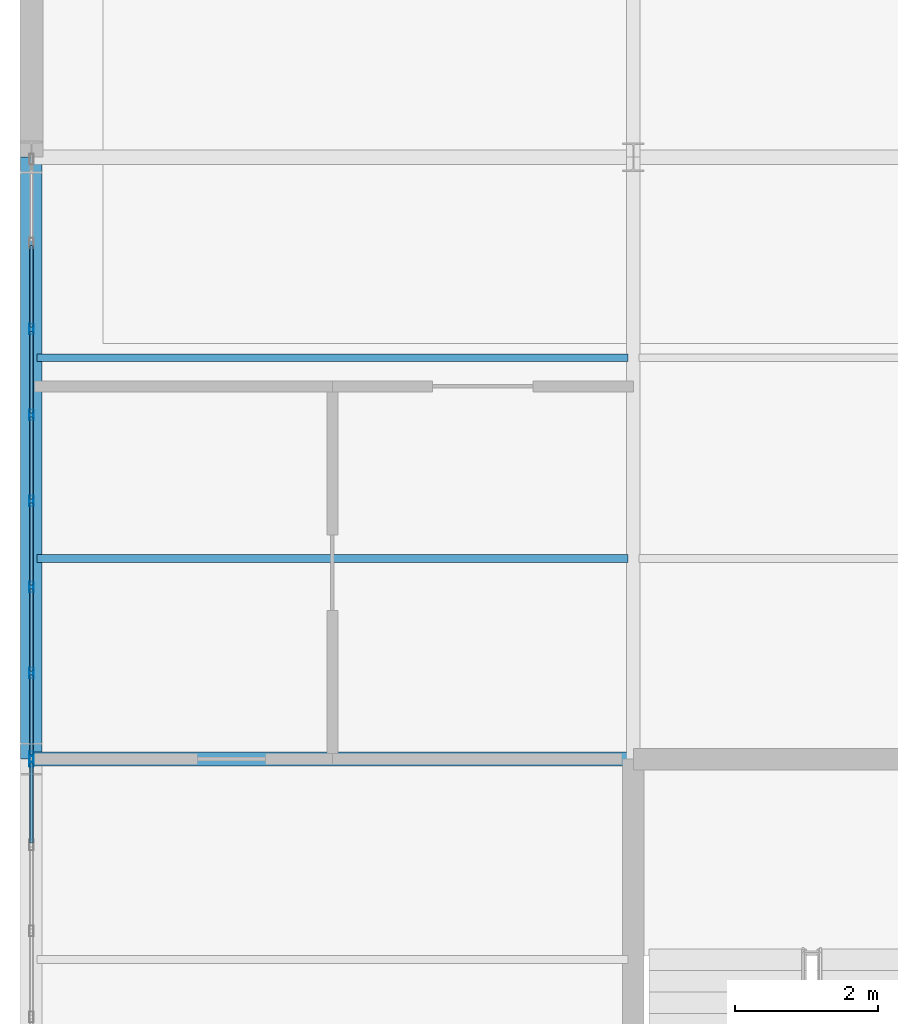
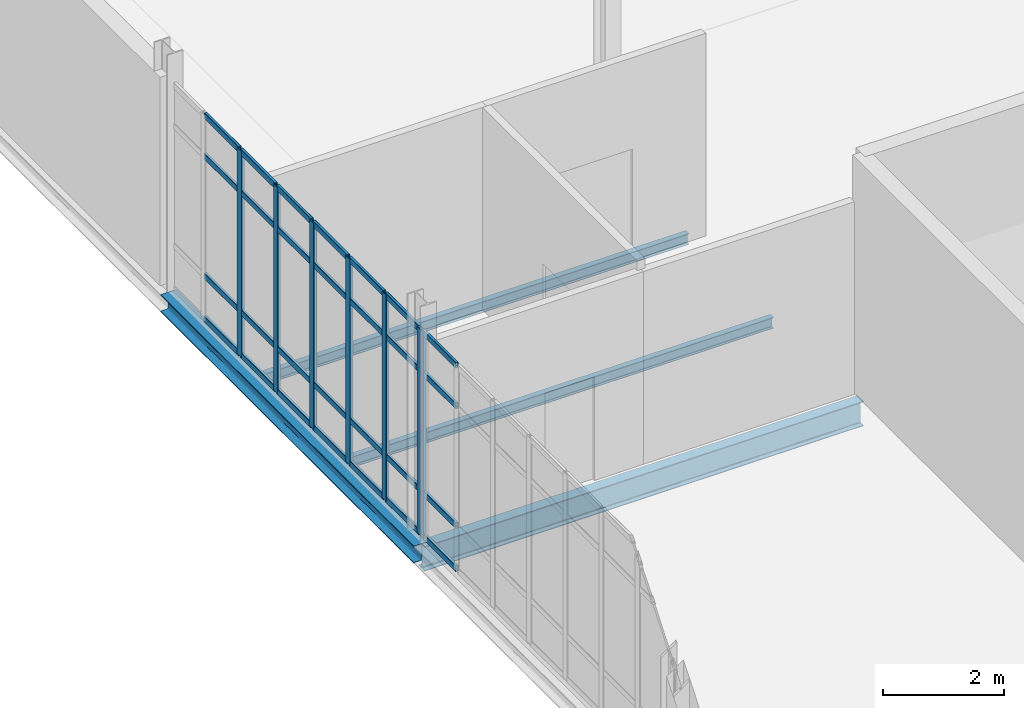
# One storey, part 7 of 28: 35 members, 4 beams, 2 elements without a shape of their own.
"""IFC4 building model written with IfcOpenShell, lengths in metres."""

from ifc_helpers import new_model, si_unit, direction, frame, origin, origin_2d, place, context, subcontext, project, spatial, hollow_rectangle, i_section, extrude, material, layer, layer_set, material_profile, profile_set, type_object, element, aggregate, save


model = new_model("IFC4")

# Units and contexts
model_context = context("Model", 3, precision=1e-05, world=origin(), true_north=direction((0.0, 1.0)))
body_context = subcontext(model_context, "Body", "Model", "MODEL_VIEW")
ifc_project = project(units=[si_unit("LENGTHUNIT", "METRE"), si_unit("AREAUNIT", "SQUARE_METRE"), si_unit("VOLUMEUNIT", "CUBIC_METRE"), si_unit("PLANEANGLEUNIT", "RADIAN"), si_unit("MASSUNIT", "GRAM", prefix="KILO")], contexts=[model_context])

# Site, building, storey
site_placement = place(None, origin())
site = spatial("IfcSite", under=ifc_project, at=site_placement, CompositionType="ELEMENT")
building_placement = place(site_placement, origin())
building = spatial("IfcBuilding", under=site, at=building_placement, Name="Qalvenar Corner Mobility Hub", CompositionType="ELEMENT")
storey_placement = place(building_placement, frame((0.0, 0.0, 21.60009765625)))
storey = spatial("IfcBuildingStorey", under=building, at=storey_placement, Name="L05", CompositionType="ELEMENT", Elevation=21.60009765625)

# Beams
ifc_material_1 = material(Name="Steel S355", Category="steel")
ifc_material_profile_1 = material_profile(ifc_material_1, i_section(OverallWidth=0.199951171875, OverallDepth=0.5, WebThickness=0.01025390625, FlangeThickness=0.01611328125, FilletRadius=0.02099609375, at=origin_2d()), Name="IPE500")
ifc_profile_set_1 = profile_set([ifc_material_profile_1], Name="Steel S355")
beam_type_1 = type_object("IfcBeamType", Name="BM-IPE500", PredefinedType="BEAM", material=ifc_profile_set_1)
beam_1_placement = place(storey_placement, frame((0.0, 16.800048828125, -0.43017578125), z_axis=(1.0, 0.0, 0.0), x_axis=(0.0, 1.0, 0.0)))
element("IfcBeam", 1, at=beam_1_placement, inside=storey, type_object=beam_type_1, Name="Primary Steel Girder GX-2955", PredefinedType="BEAM", context=body_context, shape_type="SweptSolid", body=[
    extrude(i_section(OverallWidth=0.199951171875, OverallDepth=0.5, WebThickness=0.01025390625, FlangeThickness=0.01611328125, FilletRadius=0.02099609375, at=origin_2d()), origin(), (0.0, 0.0, 1.0), 8.39990234375),
])
ifc_material_profile_2 = material_profile(ifc_material_1, i_section(OverallWidth=0.110107421875, OverallDepth=0.219970703125, WebThickness=0.005859375, FlangeThickness=0.00927734375, FilletRadius=0.011962890625, at=origin_2d()), Name="IPE220")
ifc_profile_set_2 = profile_set([ifc_material_profile_2], Name="Steel S355")
beam_type_2 = type_object("IfcBeamType", Name="BM-JST220", PredefinedType="JOIST", material=ifc_profile_set_2)
for number, where, z_axis, x_axis, name in (
    (2, (0.077880859375, 19.60009765625, -0.2900390625), (1.0, 0.0, 0.0), (0.0, 1.0, 0.0), "Composite Floor Joist J-3010"),
    (3, (0.077880859375, 22.39990234375, -0.2900390625), (1.0, 0.0, 0.0), (0.0, 1.0, 0.0), "Composite Floor Joist J-3011"),
):
    element("IfcBeam", number, at=place(storey_placement, frame(where, z_axis=z_axis, x_axis=x_axis)), inside=storey, type_object=beam_type_2, Name=name, PredefinedType="JOIST", context=body_context, shape_type="SweptSolid", body=[
        extrude(i_section(OverallWidth=0.110107421875, OverallDepth=0.219970703125, WebThickness=0.005859375, FlangeThickness=0.00927734375, FilletRadius=0.011962890625, at=origin_2d()), origin(), (0.0, 0.0, 1.0), 8.244140625),
    ])
ifc_material_profile_3 = material_profile(ifc_material_1, i_section(OverallWidth=0.300048828125, OverallDepth=0.35009765625, WebThickness=0.010009765625, FlangeThickness=0.017578125, FilletRadius=0.027099609375, at=origin_2d()), Name="HEA360")
ifc_profile_set_3 = profile_set([ifc_material_profile_3], Name="Steel S355")
beam_type_3 = type_object("IfcBeamType", Name="BM-SPN360", PredefinedType="SPANDREL", material=ifc_profile_set_3)
beam_2_placement = place(storey_placement, frame((0.0, 16.800048828125, -0.35498046875), z_axis=(0.0, 1.0, 0.0), x_axis=(-1.0, 0.0, 0.0)))
element("IfcBeam", 4, at=beam_2_placement, inside=storey, type_object=beam_type_3, Name="Primary Steel Girder GY-2977", PredefinedType="SPANDREL", context=body_context, shape_type="SweptSolid", body=[
    extrude(i_section(OverallWidth=0.300048828125, OverallDepth=0.35009765625, WebThickness=0.010009765625, FlangeThickness=0.017578125, FilletRadius=0.027099609375, at=origin_2d()), origin(), (0.0, 0.0, 1.0), 8.39990234375),
])

# Curtain wall, member
ifc_material_2 = material(Name="Anodised Aluminium and Low-E Glazing", Category="aluminium")
ifc_layer = layer(ifc_material_2, 0.14990234375)
ifc_layer_set = layer_set([ifc_layer], Name="Anodised Aluminium and Low-E Glazing")
curtain_wall_type = type_object("IfcCurtainWallType", Name="CW-CIV-84X40", PredefinedType="NOTDEFINED", material=ifc_layer_set)
curtain_wall_1_placement = place(storey_placement, origin())
curtain_wall_1 = element("IfcCurtainWall", 5, at=curtain_wall_1_placement, inside=storey, type_object=curtain_wall_type, Name="Glazed Curtain Wall CW-V3-L05-W1", PredefinedType="NOTDEFINED")
ifc_material_3 = material(Name="Anodised Aluminium 6063-T6", Category="aluminium")
ifc_material_profile_4 = material_profile(ifc_material_3, hollow_rectangle(XDim=0.06005859375, YDim=0.14990234375, WallThickness=0.00390625, InnerFilletRadius=0.00390625, OuterFilletRadius=0.008056640625, at=origin_2d()), Name="RHS150x60x4")
ifc_profile_set_4 = profile_set([ifc_material_profile_4], Name="Anodised Aluminium 6063-T6")
member_type_1 = type_object("IfcMemberType", Name="CW-MUL150", PredefinedType="MULLION", material=ifc_profile_set_4)
member_1_placement = place(storey_placement, frame((0.0, 16.77001953125, 0.0), z_axis=(0.0, 0.0, 1.0), x_axis=(1.0, 0.0, 0.0)))
member_1 = element("IfcMember", 6, at=member_1_placement, type_object=member_type_1, Name="CW-05 mullion 1", PredefinedType="MULLION", context=body_context, shape_type="SweptSolid", body=[
    extrude(hollow_rectangle(XDim=0.06005859375, YDim=0.14990234375, WallThickness=0.00390625, InnerFilletRadius=0.00390625, OuterFilletRadius=0.008056640625, at=origin_2d()), origin(), (0.0, 0.0, 1.0), 4.169921875),
])

# Curtain wall, members
curtain_wall_2_placement = place(storey_placement, origin())
curtain_wall_2 = element("IfcCurtainWall", 7, at=curtain_wall_2_placement, inside=storey, type_object=curtain_wall_type, Name="Glazed Curtain Wall CW-V3-L05-W2", PredefinedType="NOTDEFINED")
member_2_placement = place(storey_placement, frame((0.0, 22.800048828125, 0.0), z_axis=(0.0, 0.0, 1.0), x_axis=(1.0, 0.0, 0.0)))
member_2 = element("IfcMember", 8, at=member_2_placement, type_object=member_type_1, Name="CW-05 mullion 3", PredefinedType="MULLION", context=body_context, shape_type="SweptSolid", body=[
    extrude(hollow_rectangle(XDim=0.06005859375, YDim=0.14990234375, WallThickness=0.00390625, InnerFilletRadius=0.00390625, OuterFilletRadius=0.008056640625, at=origin_2d()), origin(), (0.0, 0.0, 1.0), 4.169921875),
])
member_3_placement = place(storey_placement, frame((0.0, 21.60009765625, 0.0), z_axis=(0.0, 0.0, 1.0), x_axis=(1.0, 0.0, 0.0)))
member_3 = element("IfcMember", 9, at=member_3_placement, type_object=member_type_1, Name="CW-05 mullion 4", PredefinedType="MULLION", context=body_context, shape_type="SweptSolid", body=[
    extrude(hollow_rectangle(XDim=0.06005859375, YDim=0.14990234375, WallThickness=0.00390625, InnerFilletRadius=0.00390625, OuterFilletRadius=0.008056640625, at=origin_2d()), origin(), (0.0, 0.0, 1.0), 4.169921875),
])
member_4_placement = place(storey_placement, frame((0.0, 20.39990234375, 0.0), z_axis=(0.0, 0.0, 1.0), x_axis=(1.0, 0.0, 0.0)))
member_4 = element("IfcMember", 10, at=member_4_placement, type_object=member_type_1, Name="CW-05 mullion 5", PredefinedType="MULLION", context=body_context, shape_type="SweptSolid", body=[
    extrude(hollow_rectangle(XDim=0.06005859375, YDim=0.14990234375, WallThickness=0.00390625, InnerFilletRadius=0.00390625, OuterFilletRadius=0.008056640625, at=origin_2d()), origin(), (0.0, 0.0, 1.0), 4.169921875),
])
member_5_placement = place(storey_placement, frame((0.0, 19.199951171875, 0.0), z_axis=(0.0, 0.0, 1.0), x_axis=(1.0, 0.0, 0.0)))
member_5 = element("IfcMember", 11, at=member_5_placement, type_object=member_type_1, Name="CW-05 mullion 6", PredefinedType="MULLION", context=body_context, shape_type="SweptSolid", body=[
    extrude(hollow_rectangle(XDim=0.06005859375, YDim=0.14990234375, WallThickness=0.00390625, InnerFilletRadius=0.00390625, OuterFilletRadius=0.008056640625, at=origin_2d()), origin(), (0.0, 0.0, 1.0), 4.169921875),
])
member_6_placement = place(storey_placement, frame((0.0, 18.0, 0.0), z_axis=(0.0, 0.0, 1.0), x_axis=(1.0, 0.0, 0.0)))
member_6 = element("IfcMember", 12, at=member_6_placement, type_object=member_type_1, Name="CW-05 mullion 7", PredefinedType="MULLION", context=body_context, shape_type="SweptSolid", body=[
    extrude(hollow_rectangle(XDim=0.06005859375, YDim=0.14990234375, WallThickness=0.00390625, InnerFilletRadius=0.00390625, OuterFilletRadius=0.008056640625, at=origin_2d()), origin(), (0.0, 0.0, 1.0), 4.169921875),
])
member_7_placement = place(storey_placement, frame((0.0, 16.830078125, 0.0), z_axis=(0.0, 0.0, 1.0), x_axis=(1.0, 0.0, 0.0)))
member_7 = element("IfcMember", 13, at=member_7_placement, type_object=member_type_1, Name="CW-05 mullion 8", PredefinedType="MULLION", context=body_context, shape_type="SweptSolid", body=[
    extrude(hollow_rectangle(XDim=0.06005859375, YDim=0.14990234375, WallThickness=0.00390625, InnerFilletRadius=0.00390625, OuterFilletRadius=0.008056640625, at=origin_2d()), origin(), (0.0, 0.0, 1.0), 4.169921875),
])

# Member
ifc_material_profile_5 = material_profile(ifc_material_3, hollow_rectangle(XDim=0.054931640625, YDim=0.1201171875, WallThickness=0.00341796875, InnerFilletRadius=0.00341796875, OuterFilletRadius=0.007080078125, at=origin_2d()), Name="RHS120x55x3.5")
ifc_profile_set_5 = profile_set([ifc_material_profile_5], Name="Anodised Aluminium 6063-T6")
member_type_2 = type_object("IfcMemberType", Name="CW-TRN120", PredefinedType="USERDEFINED", material=ifc_profile_set_5)
member_8_placement = place(storey_placement, frame((0.0, 16.739990234375, 0.02734375), z_axis=(0.0, -1.0, 0.0), x_axis=(1.0, 0.0, 0.0)))
member_8 = element("IfcMember", 14, at=member_8_placement, type_object=member_type_2, Name="CW-05 transom 1.1", ObjectType="TRANSOM", PredefinedType="USERDEFINED", context=body_context, shape_type="SweptSolid", body=[
    extrude(hollow_rectangle(XDim=0.054931640625, YDim=0.1201171875, WallThickness=0.00341796875, InnerFilletRadius=0.00341796875, OuterFilletRadius=0.007080078125, at=origin_2d()), origin(), (0.0, 0.0, 1.0), 1.110107421875),
])

member_9_placement = place(storey_placement, frame((0.0, 16.739990234375, 0.89990234375), z_axis=(0.0, -1.0, 0.0), x_axis=(1.0, 0.0, 0.0)))
member_9 = element("IfcMember", 15, at=member_9_placement, type_object=member_type_2, Name="CW-05 transom 1.2", ObjectType="TRANSOM", PredefinedType="USERDEFINED", context=body_context, shape_type="SweptSolid", body=[
    extrude(hollow_rectangle(XDim=0.054931640625, YDim=0.1201171875, WallThickness=0.00341796875, InnerFilletRadius=0.00341796875, OuterFilletRadius=0.007080078125, at=origin_2d()), origin(), (0.0, 0.0, 1.0), 1.110107421875),
])

member_10_placement = place(storey_placement, frame((0.0, 16.739990234375, 3.31982421875), z_axis=(0.0, -1.0, 0.0), x_axis=(1.0, 0.0, 0.0)))
member_10 = element("IfcMember", 16, at=member_10_placement, type_object=member_type_2, Name="CW-05 transom 1.3", ObjectType="TRANSOM", PredefinedType="USERDEFINED", context=body_context, shape_type="SweptSolid", body=[
    extrude(hollow_rectangle(XDim=0.054931640625, YDim=0.1201171875, WallThickness=0.00341796875, InnerFilletRadius=0.00341796875, OuterFilletRadius=0.007080078125, at=origin_2d()), origin(), (0.0, 0.0, 1.0), 1.110107421875),
])

member_11_placement = place(storey_placement, frame((0.0, 16.739990234375, 4.142333984375), z_axis=(0.0, -1.0, 0.0), x_axis=(1.0, 0.0, 0.0)))
member_11 = element("IfcMember", 17, at=member_11_placement, type_object=member_type_2, Name="CW-05 transom 1.4", ObjectType="TRANSOM", PredefinedType="USERDEFINED", context=body_context, shape_type="SweptSolid", body=[
    extrude(hollow_rectangle(XDim=0.054931640625, YDim=0.1201171875, WallThickness=0.00341796875, InnerFilletRadius=0.00341796875, OuterFilletRadius=0.007080078125, at=origin_2d()), origin(), (0.0, 0.0, 1.0), 1.110107421875),
])

aggregate(curtain_wall_1, [member_1, member_8, member_9, member_10, member_11])

member_12_placement = place(storey_placement, frame((0.0, 23.969970703125, 0.02734375), z_axis=(0.0, -1.0, 0.0), x_axis=(1.0, 0.0, 0.0)))
member_12 = element("IfcMember", 18, at=member_12_placement, type_object=member_type_2, Name="CW-05 transom 2.1", ObjectType="TRANSOM", PredefinedType="USERDEFINED", context=body_context, shape_type="SweptSolid", body=[
    extrude(hollow_rectangle(XDim=0.054931640625, YDim=0.1201171875, WallThickness=0.00341796875, InnerFilletRadius=0.00341796875, OuterFilletRadius=0.007080078125, at=origin_2d()), origin(), (0.0, 0.0, 1.0), 1.139892578125),
])

member_13_placement = place(storey_placement, frame((0.0, 23.969970703125, 0.89990234375), z_axis=(0.0, -1.0, 0.0), x_axis=(1.0, 0.0, 0.0)))
member_13 = element("IfcMember", 19, at=member_13_placement, type_object=member_type_2, Name="CW-05 transom 2.2", ObjectType="TRANSOM", PredefinedType="USERDEFINED", context=body_context, shape_type="SweptSolid", body=[
    extrude(hollow_rectangle(XDim=0.054931640625, YDim=0.1201171875, WallThickness=0.00341796875, InnerFilletRadius=0.00341796875, OuterFilletRadius=0.007080078125, at=origin_2d()), origin(), (0.0, 0.0, 1.0), 1.139892578125),
])

member_14_placement = place(storey_placement, frame((0.0, 23.969970703125, 3.31982421875), z_axis=(0.0, -1.0, 0.0), x_axis=(1.0, 0.0, 0.0)))
member_14 = element("IfcMember", 20, at=member_14_placement, type_object=member_type_2, Name="CW-05 transom 2.3", ObjectType="TRANSOM", PredefinedType="USERDEFINED", context=body_context, shape_type="SweptSolid", body=[
    extrude(hollow_rectangle(XDim=0.054931640625, YDim=0.1201171875, WallThickness=0.00341796875, InnerFilletRadius=0.00341796875, OuterFilletRadius=0.007080078125, at=origin_2d()), origin(), (0.0, 0.0, 1.0), 1.139892578125),
])

member_15_placement = place(storey_placement, frame((0.0, 23.969970703125, 4.142333984375), z_axis=(0.0, -1.0, 0.0), x_axis=(1.0, 0.0, 0.0)))
member_15 = element("IfcMember", 21, at=member_15_placement, type_object=member_type_2, Name="CW-05 transom 2.4", ObjectType="TRANSOM", PredefinedType="USERDEFINED", context=body_context, shape_type="SweptSolid", body=[
    extrude(hollow_rectangle(XDim=0.054931640625, YDim=0.1201171875, WallThickness=0.00341796875, InnerFilletRadius=0.00341796875, OuterFilletRadius=0.007080078125, at=origin_2d()), origin(), (0.0, 0.0, 1.0), 1.139892578125),
])

member_16_placement = place(storey_placement, frame((0.0, 22.77001953125, 0.02734375), z_axis=(0.0, -1.0, 0.0), x_axis=(1.0, 0.0, 0.0)))
member_16 = element("IfcMember", 22, at=member_16_placement, type_object=member_type_2, Name="CW-05 transom 3.1", ObjectType="TRANSOM", PredefinedType="USERDEFINED", context=body_context, shape_type="SweptSolid", body=[
    extrude(hollow_rectangle(XDim=0.054931640625, YDim=0.1201171875, WallThickness=0.00341796875, InnerFilletRadius=0.00341796875, OuterFilletRadius=0.007080078125, at=origin_2d()), origin(), (0.0, 0.0, 1.0), 1.14013671875),
])

member_17_placement = place(storey_placement, frame((0.0, 22.77001953125, 0.89990234375), z_axis=(0.0, -1.0, 0.0), x_axis=(1.0, 0.0, 0.0)))
member_17 = element("IfcMember", 23, at=member_17_placement, type_object=member_type_2, Name="CW-05 transom 3.2", ObjectType="TRANSOM", PredefinedType="USERDEFINED", context=body_context, shape_type="SweptSolid", body=[
    extrude(hollow_rectangle(XDim=0.054931640625, YDim=0.1201171875, WallThickness=0.00341796875, InnerFilletRadius=0.00341796875, OuterFilletRadius=0.007080078125, at=origin_2d()), origin(), (0.0, 0.0, 1.0), 1.14013671875),
])

member_18_placement = place(storey_placement, frame((0.0, 22.77001953125, 3.31982421875), z_axis=(0.0, -1.0, 0.0), x_axis=(1.0, 0.0, 0.0)))
member_18 = element("IfcMember", 24, at=member_18_placement, type_object=member_type_2, Name="CW-05 transom 3.3", ObjectType="TRANSOM", PredefinedType="USERDEFINED", context=body_context, shape_type="SweptSolid", body=[
    extrude(hollow_rectangle(XDim=0.054931640625, YDim=0.1201171875, WallThickness=0.00341796875, InnerFilletRadius=0.00341796875, OuterFilletRadius=0.007080078125, at=origin_2d()), origin(), (0.0, 0.0, 1.0), 1.14013671875),
])

member_19_placement = place(storey_placement, frame((0.0, 22.77001953125, 4.142333984375), z_axis=(0.0, -1.0, 0.0), x_axis=(1.0, 0.0, 0.0)))
member_19 = element("IfcMember", 25, at=member_19_placement, type_object=member_type_2, Name="CW-05 transom 3.4", ObjectType="TRANSOM", PredefinedType="USERDEFINED", context=body_context, shape_type="SweptSolid", body=[
    extrude(hollow_rectangle(XDim=0.054931640625, YDim=0.1201171875, WallThickness=0.00341796875, InnerFilletRadius=0.00341796875, OuterFilletRadius=0.007080078125, at=origin_2d()), origin(), (0.0, 0.0, 1.0), 1.14013671875),
])

member_20_placement = place(storey_placement, frame((0.0, 21.570068359375, 0.02734375), z_axis=(0.0, -1.0, 0.0), x_axis=(1.0, 0.0, 0.0)))
member_20 = element("IfcMember", 26, at=member_20_placement, type_object=member_type_2, Name="CW-05 transom 4.1", ObjectType="TRANSOM", PredefinedType="USERDEFINED", context=body_context, shape_type="SweptSolid", body=[
    extrude(hollow_rectangle(XDim=0.054931640625, YDim=0.1201171875, WallThickness=0.00341796875, InnerFilletRadius=0.00341796875, OuterFilletRadius=0.007080078125, at=origin_2d()), origin(), (0.0, 0.0, 1.0), 1.14013671875),
])

member_21_placement = place(storey_placement, frame((0.0, 21.570068359375, 0.89990234375), z_axis=(0.0, -1.0, 0.0), x_axis=(1.0, 0.0, 0.0)))
member_21 = element("IfcMember", 27, at=member_21_placement, type_object=member_type_2, Name="CW-05 transom 4.2", ObjectType="TRANSOM", PredefinedType="USERDEFINED", context=body_context, shape_type="SweptSolid", body=[
    extrude(hollow_rectangle(XDim=0.054931640625, YDim=0.1201171875, WallThickness=0.00341796875, InnerFilletRadius=0.00341796875, OuterFilletRadius=0.007080078125, at=origin_2d()), origin(), (0.0, 0.0, 1.0), 1.14013671875),
])

member_22_placement = place(storey_placement, frame((0.0, 21.570068359375, 3.31982421875), z_axis=(0.0, -1.0, 0.0), x_axis=(1.0, 0.0, 0.0)))
member_22 = element("IfcMember", 28, at=member_22_placement, type_object=member_type_2, Name="CW-05 transom 4.3", ObjectType="TRANSOM", PredefinedType="USERDEFINED", context=body_context, shape_type="SweptSolid", body=[
    extrude(hollow_rectangle(XDim=0.054931640625, YDim=0.1201171875, WallThickness=0.00341796875, InnerFilletRadius=0.00341796875, OuterFilletRadius=0.007080078125, at=origin_2d()), origin(), (0.0, 0.0, 1.0), 1.14013671875),
])

member_23_placement = place(storey_placement, frame((0.0, 21.570068359375, 4.142333984375), z_axis=(0.0, -1.0, 0.0), x_axis=(1.0, 0.0, 0.0)))
member_23 = element("IfcMember", 29, at=member_23_placement, type_object=member_type_2, Name="CW-05 transom 4.4", ObjectType="TRANSOM", PredefinedType="USERDEFINED", context=body_context, shape_type="SweptSolid", body=[
    extrude(hollow_rectangle(XDim=0.054931640625, YDim=0.1201171875, WallThickness=0.00341796875, InnerFilletRadius=0.00341796875, OuterFilletRadius=0.007080078125, at=origin_2d()), origin(), (0.0, 0.0, 1.0), 1.14013671875),
])

member_24_placement = place(storey_placement, frame((0.0, 20.3701171875, 0.02734375), z_axis=(0.0, -1.0, 0.0), x_axis=(1.0, 0.0, 0.0)))
member_24 = element("IfcMember", 30, at=member_24_placement, type_object=member_type_2, Name="CW-05 transom 5.1", ObjectType="TRANSOM", PredefinedType="USERDEFINED", context=body_context, shape_type="SweptSolid", body=[
    extrude(hollow_rectangle(XDim=0.054931640625, YDim=0.1201171875, WallThickness=0.00341796875, InnerFilletRadius=0.00341796875, OuterFilletRadius=0.007080078125, at=origin_2d()), origin(), (0.0, 0.0, 1.0), 1.14013671875),
])

member_25_placement = place(storey_placement, frame((0.0, 20.3701171875, 0.89990234375), z_axis=(0.0, -1.0, 0.0), x_axis=(1.0, 0.0, 0.0)))
member_25 = element("IfcMember", 31, at=member_25_placement, type_object=member_type_2, Name="CW-05 transom 5.2", ObjectType="TRANSOM", PredefinedType="USERDEFINED", context=body_context, shape_type="SweptSolid", body=[
    extrude(hollow_rectangle(XDim=0.054931640625, YDim=0.1201171875, WallThickness=0.00341796875, InnerFilletRadius=0.00341796875, OuterFilletRadius=0.007080078125, at=origin_2d()), origin(), (0.0, 0.0, 1.0), 1.14013671875),
])

member_26_placement = place(storey_placement, frame((0.0, 20.3701171875, 3.31982421875), z_axis=(0.0, -1.0, 0.0), x_axis=(1.0, 0.0, 0.0)))
member_26 = element("IfcMember", 32, at=member_26_placement, type_object=member_type_2, Name="CW-05 transom 5.3", ObjectType="TRANSOM", PredefinedType="USERDEFINED", context=body_context, shape_type="SweptSolid", body=[
    extrude(hollow_rectangle(XDim=0.054931640625, YDim=0.1201171875, WallThickness=0.00341796875, InnerFilletRadius=0.00341796875, OuterFilletRadius=0.007080078125, at=origin_2d()), origin(), (0.0, 0.0, 1.0), 1.14013671875),
])

member_27_placement = place(storey_placement, frame((0.0, 20.3701171875, 4.142333984375), z_axis=(0.0, -1.0, 0.0), x_axis=(1.0, 0.0, 0.0)))
member_27 = element("IfcMember", 33, at=member_27_placement, type_object=member_type_2, Name="CW-05 transom 5.4", ObjectType="TRANSOM", PredefinedType="USERDEFINED", context=body_context, shape_type="SweptSolid", body=[
    extrude(hollow_rectangle(XDim=0.054931640625, YDim=0.1201171875, WallThickness=0.00341796875, InnerFilletRadius=0.00341796875, OuterFilletRadius=0.007080078125, at=origin_2d()), origin(), (0.0, 0.0, 1.0), 1.14013671875),
])

member_28_placement = place(storey_placement, frame((0.0, 19.169921875, 0.02734375), z_axis=(0.0, -1.0, 0.0), x_axis=(1.0, 0.0, 0.0)))
member_28 = element("IfcMember", 34, at=member_28_placement, type_object=member_type_2, Name="CW-05 transom 6.1", ObjectType="TRANSOM", PredefinedType="USERDEFINED", context=body_context, shape_type="SweptSolid", body=[
    extrude(hollow_rectangle(XDim=0.054931640625, YDim=0.1201171875, WallThickness=0.00341796875, InnerFilletRadius=0.00341796875, OuterFilletRadius=0.007080078125, at=origin_2d()), origin(), (0.0, 0.0, 1.0), 1.139892578125),
])

member_29_placement = place(storey_placement, frame((0.0, 19.169921875, 0.89990234375), z_axis=(0.0, -1.0, 0.0), x_axis=(1.0, 0.0, 0.0)))
member_29 = element("IfcMember", 35, at=member_29_placement, type_object=member_type_2, Name="CW-05 transom 6.2", ObjectType="TRANSOM", PredefinedType="USERDEFINED", context=body_context, shape_type="SweptSolid", body=[
    extrude(hollow_rectangle(XDim=0.054931640625, YDim=0.1201171875, WallThickness=0.00341796875, InnerFilletRadius=0.00341796875, OuterFilletRadius=0.007080078125, at=origin_2d()), origin(), (0.0, 0.0, 1.0), 1.139892578125),
])

member_30_placement = place(storey_placement, frame((0.0, 19.169921875, 3.31982421875), z_axis=(0.0, -1.0, 0.0), x_axis=(1.0, 0.0, 0.0)))
member_30 = element("IfcMember", 36, at=member_30_placement, type_object=member_type_2, Name="CW-05 transom 6.3", ObjectType="TRANSOM", PredefinedType="USERDEFINED", context=body_context, shape_type="SweptSolid", body=[
    extrude(hollow_rectangle(XDim=0.054931640625, YDim=0.1201171875, WallThickness=0.00341796875, InnerFilletRadius=0.00341796875, OuterFilletRadius=0.007080078125, at=origin_2d()), origin(), (0.0, 0.0, 1.0), 1.139892578125),
])

member_31_placement = place(storey_placement, frame((0.0, 19.169921875, 4.142333984375), z_axis=(0.0, -1.0, 0.0), x_axis=(1.0, 0.0, 0.0)))
member_31 = element("IfcMember", 37, at=member_31_placement, type_object=member_type_2, Name="CW-05 transom 6.4", ObjectType="TRANSOM", PredefinedType="USERDEFINED", context=body_context, shape_type="SweptSolid", body=[
    extrude(hollow_rectangle(XDim=0.054931640625, YDim=0.1201171875, WallThickness=0.00341796875, InnerFilletRadius=0.00341796875, OuterFilletRadius=0.007080078125, at=origin_2d()), origin(), (0.0, 0.0, 1.0), 1.139892578125),
])

member_32_placement = place(storey_placement, frame((0.0, 17.969970703125, 0.02734375), z_axis=(0.0, -1.0, 0.0), x_axis=(1.0, 0.0, 0.0)))
member_32 = element("IfcMember", 38, at=member_32_placement, type_object=member_type_2, Name="CW-05 transom 7.1", ObjectType="TRANSOM", PredefinedType="USERDEFINED", context=body_context, shape_type="SweptSolid", body=[
    extrude(hollow_rectangle(XDim=0.054931640625, YDim=0.1201171875, WallThickness=0.00341796875, InnerFilletRadius=0.00341796875, OuterFilletRadius=0.007080078125, at=origin_2d()), origin(), (0.0, 0.0, 1.0), 1.10986328125),
])

member_33_placement = place(storey_placement, frame((0.0, 17.969970703125, 0.89990234375), z_axis=(0.0, -1.0, 0.0), x_axis=(1.0, 0.0, 0.0)))
member_33 = element("IfcMember", 39, at=member_33_placement, type_object=member_type_2, Name="CW-05 transom 7.2", ObjectType="TRANSOM", PredefinedType="USERDEFINED", context=body_context, shape_type="SweptSolid", body=[
    extrude(hollow_rectangle(XDim=0.054931640625, YDim=0.1201171875, WallThickness=0.00341796875, InnerFilletRadius=0.00341796875, OuterFilletRadius=0.007080078125, at=origin_2d()), origin(), (0.0, 0.0, 1.0), 1.10986328125),
])

member_34_placement = place(storey_placement, frame((0.0, 17.969970703125, 3.31982421875), z_axis=(0.0, -1.0, 0.0), x_axis=(1.0, 0.0, 0.0)))
member_34 = element("IfcMember", 40, at=member_34_placement, type_object=member_type_2, Name="CW-05 transom 7.3", ObjectType="TRANSOM", PredefinedType="USERDEFINED", context=body_context, shape_type="SweptSolid", body=[
    extrude(hollow_rectangle(XDim=0.054931640625, YDim=0.1201171875, WallThickness=0.00341796875, InnerFilletRadius=0.00341796875, OuterFilletRadius=0.007080078125, at=origin_2d()), origin(), (0.0, 0.0, 1.0), 1.10986328125),
])

member_35_placement = place(storey_placement, frame((0.0, 17.969970703125, 4.142333984375), z_axis=(0.0, -1.0, 0.0), x_axis=(1.0, 0.0, 0.0)))
member_35 = element("IfcMember", 41, at=member_35_placement, type_object=member_type_2, Name="CW-05 transom 7.4", ObjectType="TRANSOM", PredefinedType="USERDEFINED", context=body_context, shape_type="SweptSolid", body=[
    extrude(hollow_rectangle(XDim=0.054931640625, YDim=0.1201171875, WallThickness=0.00341796875, InnerFilletRadius=0.00341796875, OuterFilletRadius=0.007080078125, at=origin_2d()), origin(), (0.0, 0.0, 1.0), 1.10986328125),
])

aggregate(curtain_wall_2, [member_2, member_3, member_4, member_5, member_6, member_7, member_12, member_13, member_14, member_15, member_16, member_17, member_18, member_19, member_20, member_21, member_22, member_23, member_24, member_25, member_26, member_27, member_28, member_29, member_30, member_31, member_32, member_33, member_34, member_35])

save(model, "model.ifc")
